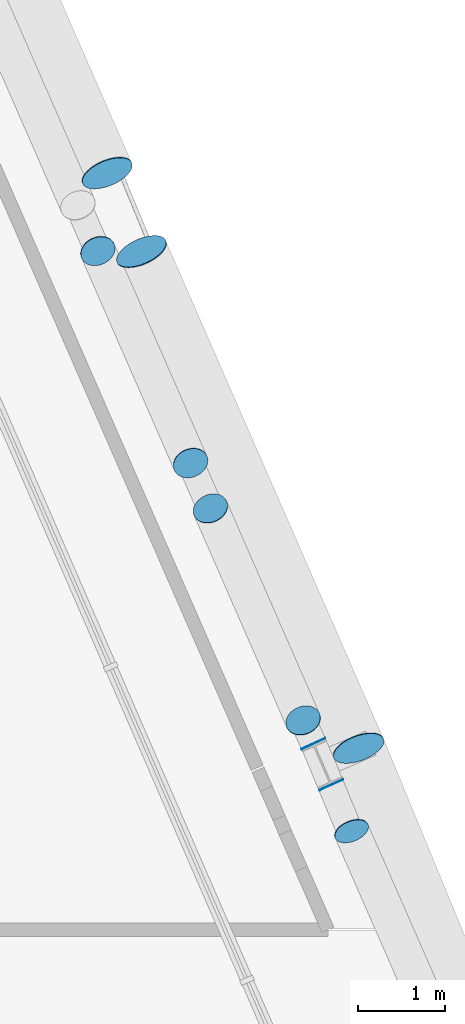
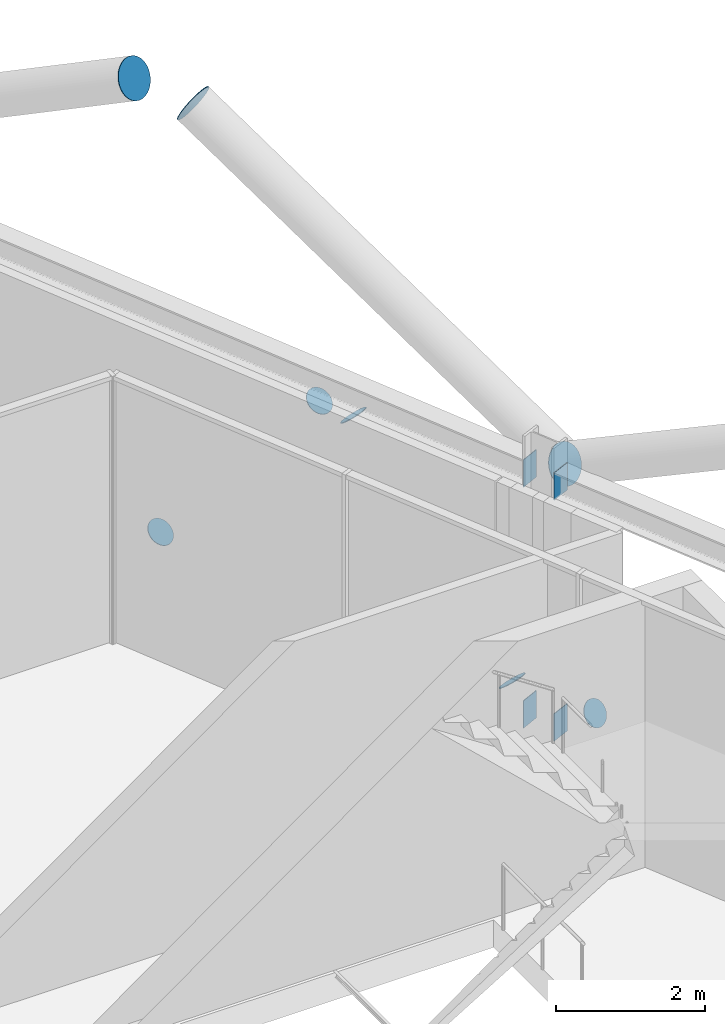
# One storey, part 29 of 35: 12 discrete accessories.
"""IFC4 building model written with IfcOpenShell, lengths in metres."""

from ifc_helpers import new_model, si_unit, direction, frame, origin, origin_2d, place, context, subcontext, project, spatial, rectangle, circle, extrude, material, material_profile, profile_set, type_object, element, save


model = new_model("IFC4")

# Units and contexts
model_context = context("Model", 3, precision=1e-05, world=origin(), true_north=direction((0.0, 1.0)))
body_context = subcontext(model_context, "Body", "Model", "MODEL_VIEW")
ifc_project = project(units=[si_unit("LENGTHUNIT", "METRE"), si_unit("AREAUNIT", "SQUARE_METRE"), si_unit("VOLUMEUNIT", "CUBIC_METRE"), si_unit("PLANEANGLEUNIT", "RADIAN"), si_unit("MASSUNIT", "GRAM", prefix="KILO")], contexts=[model_context])

# Site, building, storey
site_placement = place(None, origin())
site = spatial("IfcSite", under=ifc_project, at=site_placement, CompositionType="ELEMENT")
building_placement = place(site_placement, origin())
building = spatial("IfcBuilding", under=site, at=building_placement, Name="Wharfspan Tower", CompositionType="ELEMENT")
storey_placement = place(building_placement, frame((0.0, 0.0, 202.300049)))
storey = spatial("IfcBuildingStorey", under=building, at=storey_placement, Name="L50", CompositionType="ELEMENT", Elevation=202.300049)

# Discrete accessories
ifc_material_1 = material(Name="Steel S460NH", Category="steel")
ifc_material_profile_1 = material_profile(ifc_material_1, circle(Radius=0.203125, at=origin_2d()))
ifc_profile_set_1 = profile_set([ifc_material_profile_1], Name="Steel S460NH")
discrete_accessory_type_1 = type_object("IfcDiscreteAccessoryType", Name="End plate CHS 406x16", PredefinedType="BRACKET", material=ifc_profile_set_1)
for number, where, z_axis, x_axis, name in (
    (1, (74.571777, 28.526611, 0.61792), (-0.319169, 0.761094, -0.564683), (-0.92219, -0.386727, -2e-06), "End plate CHS 406x16"),
    (2, (74.017578, 29.792969, 0.570557), (-0.242536, 0.582086, 0.776114), (-0.923073, -0.384614, 0.0), "End plate CHS 406x16"),
    (3, (72.956299, 32.220459, 3.821533), (-0.265156, 0.578523, 0.771364), (-0.909066, -0.416656, 1e-06), "End plate CHS 406x16"),
    (4, (72.728027, 32.742432, 3.829346), (-0.245959, 0.565707, -0.78707), (-0.917071, -0.398727, -1e-06), "End plate CHS 406x16"),
    (5, (71.666748, 35.169678, 0.578369), (-0.265156, 0.578523, -0.771364), (-0.909066, -0.416656, -1e-06), "End plate CHS 406x16"),
):
    element("IfcDiscreteAccessory", number, at=place(storey_placement, frame(where, z_axis=z_axis, x_axis=x_axis)), inside=storey, type_object=discrete_accessory_type_1, Name=name, PredefinedType="BRACKET", context=body_context, shape_type="SweptSolid", body=[
        extrude(circle(Radius=0.203125, at=origin_2d()), origin(), (0.0, 0.0, 1.0), 0.01001),
    ])
ifc_material_profile_2 = material_profile(ifc_material_1, circle(Radius=0.304932, at=origin_2d()))
ifc_profile_set_2 = profile_set([ifc_material_profile_2], Name="Steel S460NH")
discrete_accessory_type_2 = type_object("IfcDiscreteAccessoryType", Name="End plate CHS 610x25", PredefinedType="BRACKET", material=ifc_profile_set_2)
for number, where, z_axis, x_axis, name in (
    (6, (74.649414, 29.484619, 4.095215), (0.316603, -0.828038, 0.462727), (0.934054, 0.357138, -1e-06), "End plate CHS 610x25"),
    (7, (72.16748, 35.160156, 7.43335), (-0.366508, 0.806318, 0.464244), (-0.910368, -0.413804, 1e-06), "End plate CHS 610x25"),
    (8, (71.769775, 36.06958, 7.43335), (0.345075, -0.81339, 0.468316), (0.920586, 0.390551, -2e-06), "End plate CHS 610x25"),
):
    element("IfcDiscreteAccessory", number, at=place(storey_placement, frame(where, z_axis=z_axis, x_axis=x_axis)), inside=storey, type_object=discrete_accessory_type_2, Name=name, PredefinedType="BRACKET", context=body_context, shape_type="SweptSolid", body=[
        extrude(circle(Radius=0.304932, at=origin_2d()), origin(), (0.0, 0.0, 1.0), 0.01001),
    ])
ifc_material_2 = material(Name="Steel S355J2", Category="steel")
ifc_material_profile_3 = material_profile(ifc_material_2, rectangle(XDim=0.300049, YDim=0.449951, at=origin_2d()))
ifc_profile_set_3 = profile_set([ifc_material_profile_3], Name="Steel S355J2")
discrete_accessory_type_3 = type_object("IfcDiscreteAccessoryType", Name="End plate HEB 450", PredefinedType="BRACKET", material=ifc_profile_set_3)
for number, where, z_axis, x_axis, name in (
    (9, (74.340576, 29.054932, 4.175049), (-0.408366, 0.912818, 0.0), (-0.912818, -0.408366, 0.0), "End plate HEB 450"),
    (10, (74.340576, 29.054932, 0.224854), (-0.408366, 0.912818, 0.0), (-0.912818, -0.408366, 0.0), "End plate HEB 450"),
):
    element("IfcDiscreteAccessory", number, at=place(storey_placement, frame(where, z_axis=z_axis, x_axis=x_axis)), inside=storey, type_object=discrete_accessory_type_3, Name=name, PredefinedType="BRACKET", context=body_context, shape_type="SweptSolid", body=[
        extrude(rectangle(XDim=0.300049, YDim=0.449951, at=origin_2d()), origin(), (0.0, 0.0, 1.0), 0.010254),
    ])
for number, where, z_axis, x_axis, name in (
    (11, (74.134521, 29.525879, 4.175049), (-0.4175, 0.908677, 0.0), (-0.908677, -0.4175, 0.0), "End plate HEB 450"),
    (12, (74.134521, 29.525879, 0.224854), (-0.4175, 0.908677, 0.0), (-0.908677, -0.4175, 0.0), "End plate HEB 450"),
):
    element("IfcDiscreteAccessory", number, at=place(storey_placement, frame(where, z_axis=z_axis, x_axis=x_axis)), inside=storey, type_object=discrete_accessory_type_3, Name=name, PredefinedType="BRACKET", context=body_context, shape_type="SweptSolid", body=[
        extrude(rectangle(XDim=0.300049, YDim=0.449951, at=origin_2d()), origin(), (0.0, 0.0, 1.0), 0.01001),
    ])

save(model, "model.ifc")
